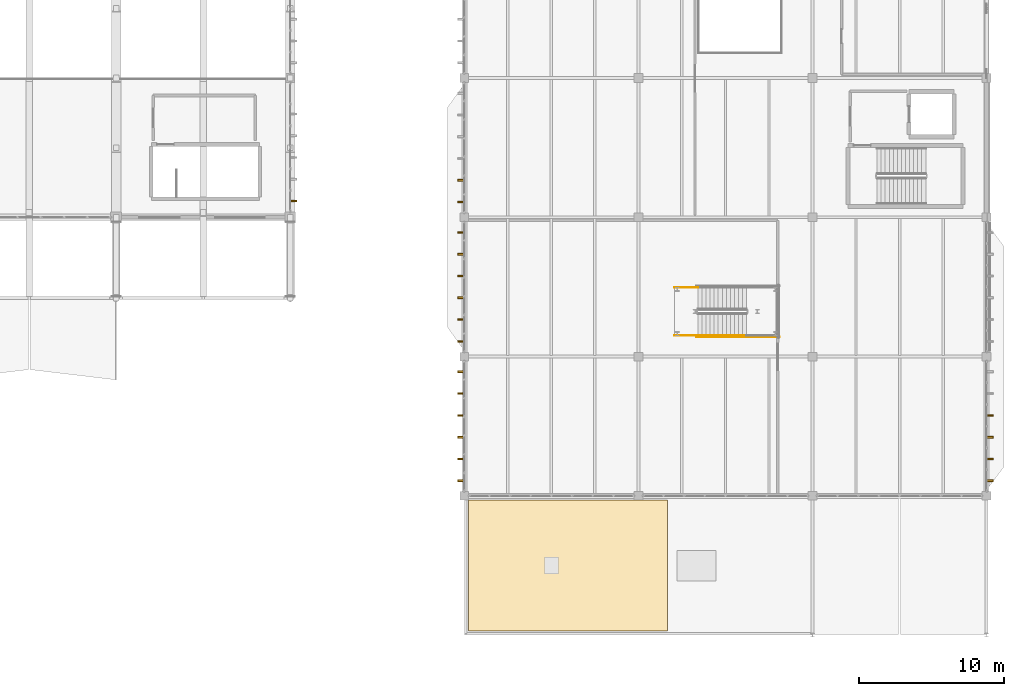
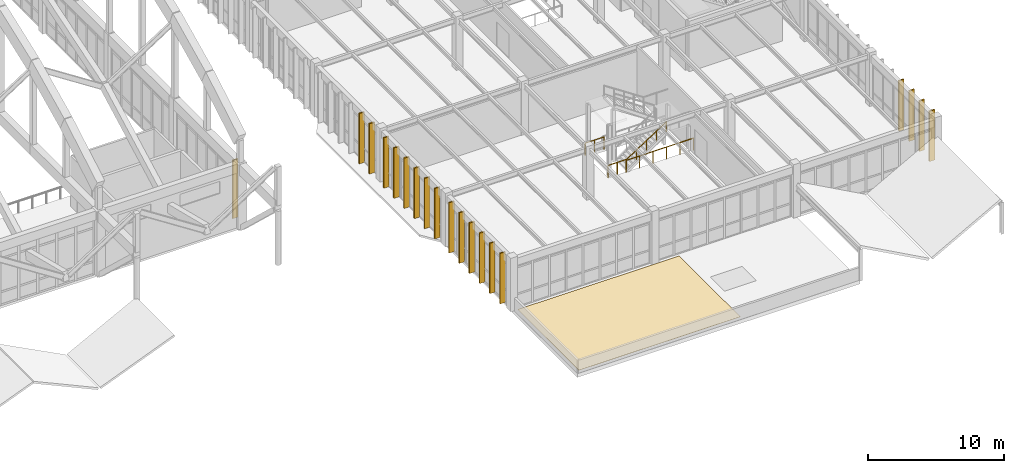
# One storey, part 230 of 236: 19 shading devices, 4 railings, 1 covering.
"""IFC4 building model written with IfcOpenShell, lengths in metres."""

import ifcopenshell
import ifcopenshell.guid

model = None  # the IFC model being written
_history = None  # IfcOwnerHistory: only IFC2X3 demands one
_inside = {}  # id of a spatial element -> (the spatial element, [elements in it])
_under = {}  # id of a project, library or spatial element -> (it, [spatial elements below it])
_declared = {}  # id of a project -> (the project, [libraries it declares])
_typed = {}  # id of a type object -> (the type object, [elements of that type])
_made_of = {}  # id of a material, layer set ... -> (it, [elements and type objects made of it])


def new_model(schema):
    """Start an empty IFC model of exactly this schema.

    Asked for "IFC4X3", IfcOpenShell would pick the latest addendum, in which some entities
    have other attributes; the version numbers below select the first issue.
    IFC2X3 requires an IfcOwnerHistory on every rooted entity: one is made here for all.
    """
    global model, _history
    if schema == "IFC4X3":
        model = ifcopenshell.file(schema_version=(4, 3, 0, 0))
    else:
        model = ifcopenshell.file(schema=schema)
    _inside.clear()
    _under.clear()
    _declared.clear()
    _typed.clear()
    _made_of.clear()
    _history = None
    if model.schema == "IFC2X3":
        org = make("IfcOrganization", Name="unknown")
        user = make(
            "IfcPersonAndOrganization",
            ThePerson=make("IfcPerson", FamilyName="unknown"),
            TheOrganization=org,
        )
        app = make(
            "IfcApplication",
            ApplicationDeveloper=org,
            Version="unknown",
            ApplicationFullName="unknown",
            ApplicationIdentifier="unknown",
        )
        _history = make(
            "IfcOwnerHistory",
            OwningUser=user,
            OwningApplication=app,
            ChangeAction="ADDED",
            CreationDate=0,
        )
    return model


def make(cls, **values):
    """One entity of the class cls with the attributes given. An attribute that is None is left unset."""
    return model.create_entity(
        cls, **{name: value for name, value in values.items() if value is not None}
    )


def rooted(cls, **values):
    """An entity with a GlobalId (a new one), such as an element, a storey or a relation."""
    return make(cls, GlobalId=ifcopenshell.guid.new(), OwnerHistory=_history, **values)


def si_unit(unit_type, name, prefix=None):
    """IfcSIUnit, for example si_unit("LENGTHUNIT", "METRE", prefix="MILLI")."""
    return make("IfcSIUnit", UnitType=unit_type, Prefix=prefix, Name=name)


def assignment(units):
    """IfcUnitAssignment: the units of a project."""
    return None if units is None else make("IfcUnitAssignment", Units=units)


def point(xyz):
    """IfcCartesianPoint."""
    return None if xyz is None else make("IfcCartesianPoint", Coordinates=xyz)


def direction(xyz):
    """IfcDirection."""
    return None if xyz is None else make("IfcDirection", DirectionRatios=xyz)


def frame(location, z_axis=None, x_axis=None):
    """IfcAxis2Placement3D, a coordinate frame: its origin and axes. An axis left out is left unset."""
    return make(
        "IfcAxis2Placement3D",
        Location=point(location),
        Axis=direction(z_axis),
        RefDirection=direction(x_axis),
    )


def frame_2d(location, x_axis=None):
    """IfcAxis2Placement2D, a coordinate frame in the plane: its origin and x axis."""
    return make(
        "IfcAxis2Placement2D", Location=point(location), RefDirection=direction(x_axis)
    )


def origin():
    """The frame at (0, 0, 0) with its axes left unset."""
    return frame((0.0, 0.0, 0.0))


def origin_2d():
    """The frame at (0, 0) in the plane with its x axis left unset."""
    return frame_2d((0.0, 0.0))


def place(relative_to, where):
    """IfcLocalPlacement: puts the frame where relative to a parent placement (None: the world)."""
    return make(
        "IfcLocalPlacement", PlacementRelTo=relative_to, RelativePlacement=where
    )


def context(
    kind, dimensions, precision=None, world=None, true_north=None, identifier=None
):
    """IfcGeometricRepresentationContext, for example the 3D "Model" context."""
    return make(
        "IfcGeometricRepresentationContext",
        ContextIdentifier=identifier,
        ContextType=kind,
        CoordinateSpaceDimension=dimensions,
        Precision=precision,
        WorldCoordinateSystem=world,
        TrueNorth=true_north,
    )


def subcontext(parent, identifier, kind, view, scale=None):
    """IfcGeometricRepresentationSubContext, for example "Body" below "Model"."""
    return make(
        "IfcGeometricRepresentationSubContext",
        ContextIdentifier=identifier,
        ContextType=kind,
        ParentContext=parent,
        TargetScale=scale,
        TargetView=view,
    )


def project(units=None, contexts=None):
    """IfcProject with its units and contexts."""
    return rooted(
        "IfcProject",
        Name="project",
        RepresentationContexts=contexts,
        UnitsInContext=assignment(units),
    )


def spatial(cls, under=None, at=None, **own):
    """A site, building, storey or space (cls), placed at a placement, below another one or the project."""
    s = rooted(cls, ObjectPlacement=at, **own)
    if under is not None:
        _under.setdefault(under.id(), (under, []))[1].append(s)
    return s


def polyline(points):
    """IfcPolyline through the points."""
    return make("IfcPolyline", Points=[point(p) for p in points])


def profile(cls, at=None, kind="AREA", **sizes):
    """A parametric profile (cls). Its sizes go by their IFC names, for example OverallWidth=200.0."""
    return make(cls, ProfileType=kind, Position=at, **sizes)


def rectangle(**sizes):
    """IfcRectangleProfileDef."""
    return profile("IfcRectangleProfileDef", **sizes)


def circle(**sizes):
    """IfcCircleProfileDef."""
    return profile("IfcCircleProfileDef", **sizes)


def outline(outer, holes=None, kind="AREA"):
    """IfcArbitraryClosedProfileDef: a profile drawn as a closed curve; with holes, ...WithVoids."""
    if holes is None:
        return make("IfcArbitraryClosedProfileDef", ProfileType=kind, OuterCurve=outer)
    return make(
        "IfcArbitraryProfileDefWithVoids",
        ProfileType=kind,
        OuterCurve=outer,
        InnerCurves=holes,
    )


def extrude(swept, where, along, depth):
    """IfcExtrudedAreaSolid: the profile swept, set in the frame where, extruded along a direction by depth."""
    return make(
        "IfcExtrudedAreaSolid",
        SweptArea=swept,
        Position=where,
        ExtrudedDirection=direction(along),
        Depth=depth,
    )


def shape(context_of_items, identifier, shape_type, items):
    """IfcShapeRepresentation: the items that make up one representation, for example the "Body"."""
    return make(
        "IfcShapeRepresentation",
        ContextOfItems=context_of_items,
        RepresentationIdentifier=identifier,
        RepresentationType=shape_type,
        Items=items,
    )


def material(Name=None, Category=None):
    """IfcMaterial."""
    return make("IfcMaterial", Name=Name, Category=Category)


def layer(
    of_material, thickness, ventilated=None, Name=None, Category=None, Priority=None
):
    """IfcMaterialLayer: one layer of a wall or slab, of a material (None: an air gap)."""
    return make(
        "IfcMaterialLayer",
        Material=of_material,
        LayerThickness=thickness,
        IsVentilated=ventilated,
        Name=Name,
        Category=Category,
        Priority=Priority,
    )


def layer_set(layers, Name=None):
    """IfcMaterialLayerSet."""
    return make("IfcMaterialLayerSet", MaterialLayers=layers, LayerSetName=Name)


def made_of(thing, what):
    """Note that an element or type object is made of a material, layer set ...; save() writes the relation."""
    if what is not None:
        _made_of.setdefault(what.id(), (what, []))[1].append(thing)
    return thing


def type_object(cls, material=None, **own):
    """A type object (cls), such as IfcWallType, which elements share."""
    return made_of(rooted(cls, **own), material)


def element(
    cls,
    number,
    at=None,
    inside=None,
    cuts=None,
    type_object=None,
    material=None,
    context=None,
    identifier="Body",
    shape_type=None,
    held_by="IfcProductDefinitionShape",
    body=None,
    shapes=None,
    **own,
):
    """One element of the class cls, such as IfcWall. Its Tag is "e" and its number.

    at: its placement. inside: the storey or other place that contains it. cuts: it is an
    opening in that element (IfcRelVoidsElement). A single representation is given by context,
    identifier, shape_type and body (its items); several are given by shapes. held_by: the class
    of the entity that holds the representations. save() writes the other relations.
    """
    e = rooted(cls, Tag="e%d" % number, ObjectPlacement=at, **own)
    if body is not None:
        shapes = [shape(context, identifier, shape_type, body)]
    if shapes is not None:
        e.Representation = make(held_by, Representations=shapes)
    if inside is not None:
        _inside.setdefault(inside.id(), (inside, []))[1].append(e)
    if cuts is not None:
        rooted(
            "IfcRelVoidsElement", RelatingBuildingElement=cuts, RelatedOpeningElement=e
        )
    if type_object is not None:
        _typed.setdefault(type_object.id(), (type_object, []))[1].append(e)
    return made_of(e, material)


def aggregate(whole, parts):
    """IfcRelAggregates: a whole, such as a stair, and the parts it consists of."""
    return rooted("IfcRelAggregates", RelatingObject=whole, RelatedObjects=parts)


def save(model, path):
    """Write the relations noted so far, then the file.

    IfcRelAggregates (storeys below a building ...), IfcRelContainedInSpatialStructure (elements
    in a storey), IfcRelDefinesByType, IfcRelAssociatesMaterial and IfcRelDeclares: one each for
    every whole, place, type object, material and project.
    """
    for whole, parts in _under.values():
        aggregate(whole, parts)
    for where, things in _inside.values():
        rooted(
            "IfcRelContainedInSpatialStructure",
            RelatedElements=things,
            RelatingStructure=where,
        )
    for kind, things in _typed.values():
        rooted("IfcRelDefinesByType", RelatedObjects=things, RelatingType=kind)
    for what, things in _made_of.values():
        rooted("IfcRelAssociatesMaterial", RelatedObjects=things, RelatingMaterial=what)
    for by, libraries in _declared.values():
        rooted("IfcRelDeclares", RelatingContext=by, RelatedDefinitions=libraries)
    model.write(path)


model = new_model("IFC4")

# Units and contexts
model_context = context("Model", 3, precision=1e-05, world=origin(), true_north=direction((0.0, 1.0)))
body_context = subcontext(model_context, "Body", "Model", "MODEL_VIEW")
ifc_project = project(units=[si_unit("LENGTHUNIT", "METRE"), si_unit("AREAUNIT", "SQUARE_METRE"), si_unit("VOLUMEUNIT", "CUBIC_METRE"), si_unit("PLANEANGLEUNIT", "RADIAN"), si_unit("MASSUNIT", "GRAM", prefix="KILO")], contexts=[model_context])

# Site, building, storey
site_placement = place(None, origin())
site = spatial("IfcSite", under=ifc_project, at=site_placement, CompositionType="ELEMENT")
building_placement = place(site_placement, origin())
building = spatial("IfcBuilding", under=site, at=building_placement, Name="Pandanus Reach Market Hall", CompositionType="ELEMENT")
storey_placement = place(building_placement, frame((0.0, 0.0, 5.39990234375)))
storey = spatial("IfcBuildingStorey", under=building, at=storey_placement, Name="L01", CompositionType="ELEMENT", Elevation=5.39990234375)

# Shading devices
ifc_material_1 = material(Name="Precast concrete S50 (50 MPa)", Category="concrete")
shading_device_type = type_object("IfcShadingDeviceType", Name="FN-S50-450", PredefinedType="JALOUSIE", material=ifc_material_1)
shading_device_placement = place(storey_placement, frame((132.219970703125, 29.925048828125, -0.009765625), z_axis=(0.0, 0.0, 1.0), x_axis=(1.0, 0.0, 0.0)))
element("IfcShadingDevice", 1, at=shading_device_placement, inside=storey, type_object=shading_device_type, Name="Precast brise-soleil fin 79", PredefinedType="JALOUSIE", context=body_context, shape_type="SweptSolid", body=[
    extrude(rectangle(XDim=0.449951171875, YDim=0.1201171875, at=origin_2d()), origin(), (0.0, 0.0, 1.0), 5.219970703125),
])
for number, where, z_axis, x_axis, name in (
    (2, (180.219970703125, 10.64990234375, -0.010009765625), (0.0, 0.0, 1.0), (1.0, 0.0, 0.0), "Precast brise-soleil fin 333"),
    (3, (180.219970703125, 12.14990234375, -0.010009765625), (0.0, 0.0, 1.0), (1.0, 0.0, 0.0), "Precast brise-soleil fin 334"),
    (4, (180.219970703125, 13.64990234375, -0.010009765625), (0.0, 0.0, 1.0), (1.0, 0.0, 0.0), "Precast brise-soleil fin 335"),
    (5, (180.219970703125, 15.14990234375, -0.010009765625), (0.0, 0.0, 1.0), (1.0, 0.0, 0.0), "Precast brise-soleil fin 336"),
    (6, (143.780029296875, 10.64990234375, -0.010009765625), (0.0, 0.0, 1.0), (-1.0, 0.0, 0.0), "Precast brise-soleil fin 369"),
    (7, (143.780029296875, 12.14990234375, -0.010009765625), (0.0, 0.0, 1.0), (-1.0, 0.0, 0.0), "Precast brise-soleil fin 370"),
    (8, (143.780029296875, 13.64990234375, -0.010009765625), (0.0, 0.0, 1.0), (-1.0, 0.0, 0.0), "Precast brise-soleil fin 371"),
    (9, (143.780029296875, 15.14990234375, -0.010009765625), (0.0, 0.0, 1.0), (-1.0, 0.0, 0.0), "Precast brise-soleil fin 372"),
    (10, (143.780029296875, 16.64990234375, -0.010009765625), (0.0, 0.0, 1.0), (-1.0, 0.0, 0.0), "Precast brise-soleil fin 373"),
    (11, (143.780029296875, 18.14990234375, -0.010009765625), (0.0, 0.0, 1.0), (-1.0, 0.0, 0.0), "Precast brise-soleil fin 374"),
    (12, (143.780029296875, 20.25, -0.010009765625), (0.0, 0.0, 1.0), (-1.0, 0.0, 0.0), "Precast brise-soleil fin 375"),
    (13, (143.780029296875, 21.75, -0.010009765625), (0.0, 0.0, 1.0), (-1.0, 0.0, 0.0), "Precast brise-soleil fin 376"),
    (14, (143.780029296875, 23.25, -0.010009765625), (0.0, 0.0, 1.0), (-1.0, 0.0, 0.0), "Precast brise-soleil fin 377"),
    (15, (143.780029296875, 24.75, -0.010009765625), (0.0, 0.0, 1.0), (-1.0, 0.0, 0.0), "Precast brise-soleil fin 378"),
    (16, (143.780029296875, 26.25, -0.010009765625), (0.0, 0.0, 1.0), (-1.0, 0.0, 0.0), "Precast brise-soleil fin 379"),
    (17, (143.780029296875, 27.75, -0.010009765625), (0.0, 0.0, 1.0), (-1.0, 0.0, 0.0), "Precast brise-soleil fin 380"),
    (18, (143.780029296875, 29.85009765625, -0.010009765625), (0.0, 0.0, 1.0), (-1.0, 0.0, 0.0), "Precast brise-soleil fin 381"),
    (19, (143.780029296875, 31.35009765625, -0.010009765625), (0.0, 0.0, 1.0), (-1.0, 0.0, 0.0), "Precast brise-soleil fin 382"),
):
    element("IfcShadingDevice", number, at=place(storey_placement, frame(where, z_axis=z_axis, x_axis=x_axis)), inside=storey, type_object=shading_device_type, Name=name, PredefinedType="JALOUSIE", context=body_context, shape_type="SweptSolid", body=[
        extrude(rectangle(XDim=0.449951171875, YDim=0.1201171875, at=origin_2d()), origin(), (0.0, 0.0, 1.0), 4.52001953125),
    ])

# Railings
ifc_material_2 = material(Name="Galvanised steel Grade 350 (350 MPa)", Category="steel")
railing_type_1 = type_object("IfcRailingType", Name="GR-INT-110", PredefinedType="GUARDRAIL", material=ifc_material_2)
for number, where, name in (
    (20, (158.5, 20.64990234375, 0.0), "Stair guard ST-11 L01.199"),
    (21, (158.5, 23.969970703125, 0.0), "Stair guard ST-11 L01.200"),
):
    element("IfcRailing", number, at=place(storey_placement, frame(where)), inside=storey, type_object=railing_type_1, Name=name, PredefinedType="GUARDRAIL", context=body_context, shape_type="SweptSolid", body=[
        extrude(circle(Radius=0.02392578125, at=origin_2d()), frame((0.0, 0.0, 1.076171875), z_axis=(1.0, 0.0, 0.0), x_axis=(0.0, 1.0, 0.0)), (0.0, 0.0, 1.0), 1.60009765625),
        extrude(circle(Radius=0.02099609375, at=origin_2d()), origin(), (0.0, 0.0, 1.0), 1.052001953125),
        extrude(circle(Radius=0.02099609375, at=origin_2d()), frame((0.800048828125, 0.0, 0.0)), (0.0, 0.0, 1.0), 1.052001953125),
        extrude(circle(Radius=0.02099609375, at=origin_2d()), frame((1.60009765625, 0.0, 0.0)), (0.0, 0.0, 1.0), 1.052001953125),
    ])
railing_1_placement = place(storey_placement, frame((160.0, 20.550048828125, 0.0)))
element("IfcRailing", 22, at=railing_1_placement, inside=storey, type_object=railing_type_1, Name="Stair guard ST-11 L01.201", PredefinedType="GUARDRAIL", context=body_context, shape_type="SweptSolid", body=[
    extrude(circle(Radius=0.02392578125, at=origin_2d()), frame((0.0, 0.0, 1.076171875), z_axis=(1.0, 0.0, 0.0), x_axis=(0.0, 1.0, 0.0)), (0.0, 0.0, 1.0), 5.719970703125),
    extrude(circle(Radius=0.02099609375, at=origin_2d()), origin(), (0.0, 0.0, 1.0), 1.052001953125),
    extrude(circle(Radius=0.02099609375, at=origin_2d()), frame((1.14404296875, 0.0, 0.0)), (0.0, 0.0, 1.0), 1.052001953125),
    extrude(circle(Radius=0.02099609375, at=origin_2d()), frame((2.2880859375, 0.0, 0.0)), (0.0, 0.0, 1.0), 1.052001953125),
    extrude(circle(Radius=0.02099609375, at=origin_2d()), frame((3.431884765625, 0.0, 0.0)), (0.0, 0.0, 1.0), 1.052001953125),
    extrude(circle(Radius=0.02099609375, at=origin_2d()), frame((4.575927734375, 0.0, 0.0)), (0.0, 0.0, 1.0), 1.052001953125),
    extrude(circle(Radius=0.02099609375, at=origin_2d()), frame((5.719970703125, 0.0, 0.0)), (0.0, 0.0, 1.0), 1.052001953125),
])
ifc_material_3 = material(Name="Brushed stainless steel", Category="steel")
railing_type_2 = type_object("IfcRailingType", Name="HR-WAL-090", PredefinedType="HANDRAIL", material=ifc_material_3)
railing_2_placement = place(storey_placement, frame((160.10009765625, 20.64990234375, 0.184814453125)))
element("IfcRailing", 23, at=railing_2_placement, inside=storey, type_object=railing_type_2, Name="Stair handrail ST-11 L01.204", PredefinedType="HANDRAIL", context=body_context, shape_type="SweptSolid", body=[
    extrude(circle(Radius=0.02392578125, at=origin_2d()), frame((0.0, 0.0, 0.8759765625), z_axis=(0.834858096282, 0.0, 0.550465220583), x_axis=(0.0, 1.0, 0.0)), (0.0, 0.0, 1.0), 4.0244140625),
    extrude(circle(Radius=0.02099609375, at=origin_2d()), origin(), (0.0, 0.0, 1.0), 0.851806640625),
    extrude(circle(Radius=0.02099609375, at=origin_2d()), frame((0.83984375, 0.0, 0.5537109375)), (0.0, 0.0, 1.0), 0.851806640625),
    extrude(circle(Radius=0.02099609375, at=origin_2d()), frame((1.679931640625, 0.0, 1.107666015625)), (0.0, 0.0, 1.0), 0.851806640625),
    extrude(circle(Radius=0.02099609375, at=origin_2d()), frame((2.52001953125, 0.0, 1.66162109375)), (0.0, 0.0, 1.0), 0.851806640625),
    extrude(circle(Radius=0.02099609375, at=origin_2d()), frame((3.35986328125, 0.0, 2.21533203125)), (0.0, 0.0, 1.0), 0.851806640625),
])

# Covering
ifc_material_4 = material(Name="Reflective EPDM waterproof roofing membrane")
ifc_layer = layer(ifc_material_4, 0.02490234375, Name="RFG-MEM-25")
ifc_layer_set = layer_set([ifc_layer], Name="Reflective EPDM waterproof roofing membrane")
covering_type = type_object("IfcCoveringType", Name="RFG-MEM-25", PredefinedType="ROOFING", material=ifc_layer_set)
covering_placement = place(storey_placement, origin())
element("IfcCovering", 24, at=covering_placement, inside=storey, type_object=covering_type, Name="Roof membrane covering L01.1", PredefinedType="ROOFING", context=body_context, shape_type="SweptSolid", body=[
    extrude(outline(polyline([(144.300048828125, 0.300048828125), (158.0, 0.300048828125), (158.0, 9.300048828125), (144.300048828125, 9.300048828125), (144.300048828125, 0.300048828125)])), origin(), (0.0, 0.0, 1.0), 0.025146484375),
])

save(model, "model.ifc")
